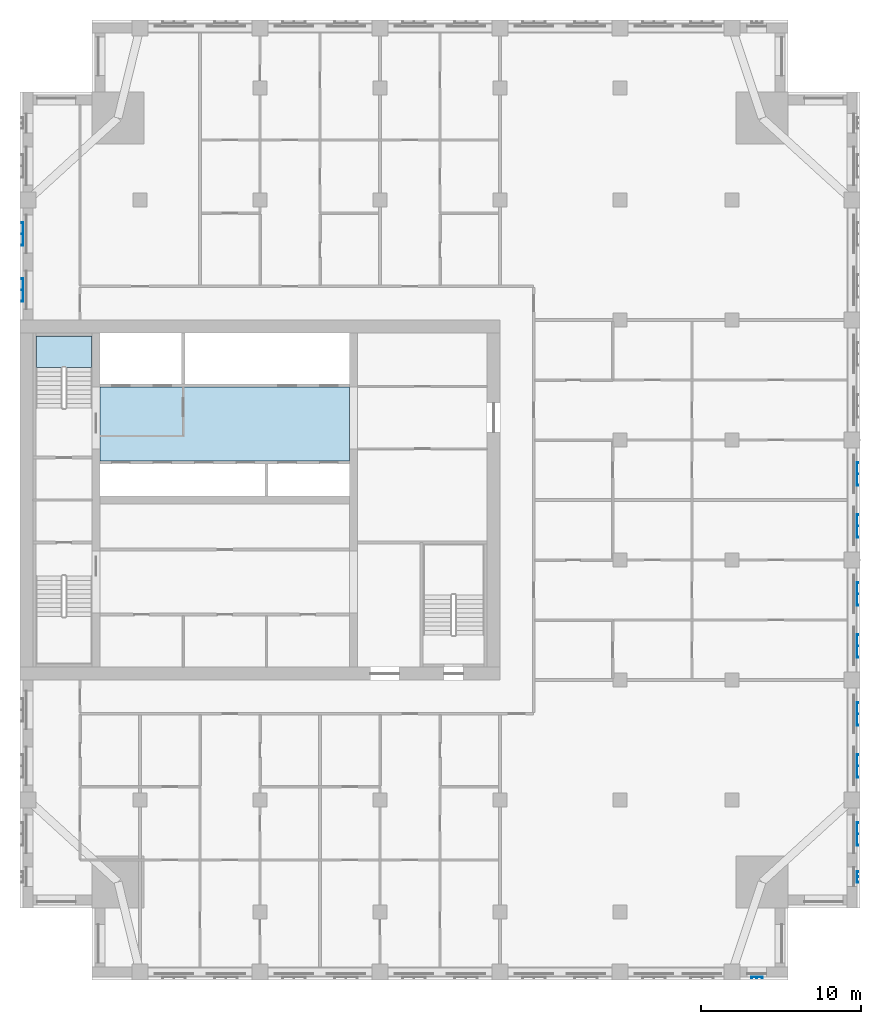
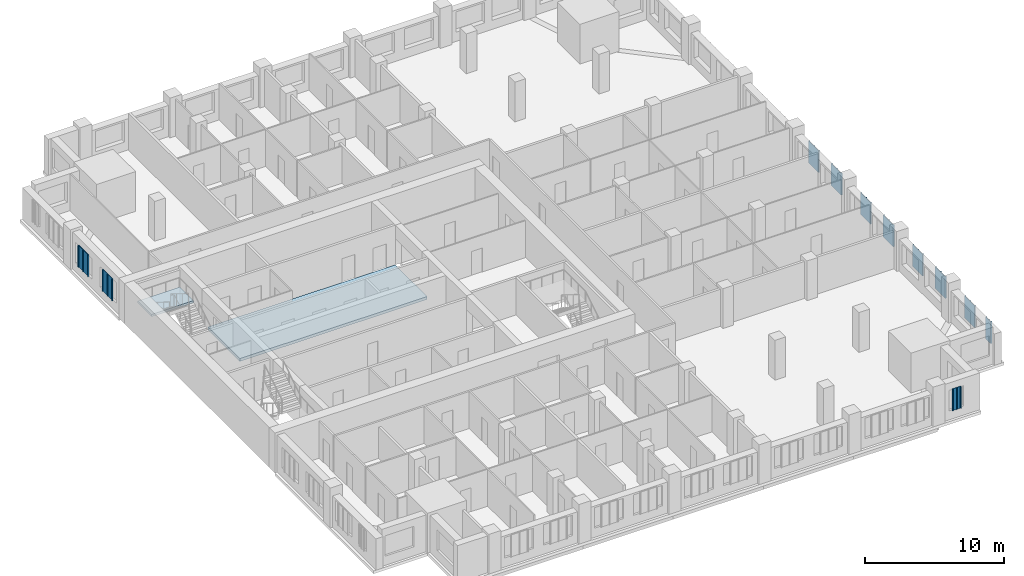
# One storey, part 4 of 14: 11 plates, 2 slabs, 1 element without a shape of its own.
"""IFC4 building model written with IfcOpenShell, lengths in metres."""

from ifc_helpers import new_model, si_unit, direction, frame, origin, place, context, subcontext, project, spatial, polyline, outline, extrude, material, layer, layer_set, type_object, element, aggregate, save


model = new_model("IFC4")

# Units and contexts
model_context = context("Model", 3, precision=1e-05, world=origin(), true_north=direction((0.0, 1.0)))
body_context = subcontext(model_context, "Body", "Model", "MODEL_VIEW")
ifc_project = project(units=[si_unit("LENGTHUNIT", "METRE"), si_unit("AREAUNIT", "SQUARE_METRE"), si_unit("VOLUMEUNIT", "CUBIC_METRE"), si_unit("PLANEANGLEUNIT", "RADIAN"), si_unit("MASSUNIT", "GRAM", prefix="KILO")], contexts=[model_context])

# Site, building, storey
site_placement = place(None, origin())
site = spatial("IfcSite", under=ifc_project, at=site_placement, CompositionType="ELEMENT")
building_placement = place(site_placement, origin())
building = spatial("IfcBuilding", under=site, at=building_placement, Name="Tamorin Gate", CompositionType="ELEMENT")
storey_placement = place(building_placement, frame((0.0, 0.0, 179.199951171875)))
storey = spatial("IfcBuildingStorey", under=building, at=storey_placement, Name="L43", CompositionType="ELEMENT", Elevation=179.199951171875)

# Slab
ifc_material_1 = material(Name="Concrete C40/50", Category="concrete")
ifc_layer_1 = layer(ifc_material_1, 0.25)
ifc_layer_set_1 = layer_set([ifc_layer_1], Name="Core floor slab 250 C40/50")
slab_type_1 = type_object("IfcSlabType", Name="Core floor slab 250 C40/50", PredefinedType="FLOOR", material=ifc_layer_set_1)
slab_1_placement = place(storey_placement, frame((0.0, 0.0, -0.25)))
element("IfcSlab", 1, at=slab_1_placement, inside=storey, type_object=slab_type_1, Name="Core floor L43", PredefinedType="FLOOR", context=body_context, shape_type="SweptSolid", body=[
    extrude(outline(polyline([(50.60009765625, 73.699951171875), (35.0, 73.699951171875), (35.0, 78.300048828125), (50.60009765625, 78.300048828125), (50.60009765625, 73.699951171875)])), origin(), (0.0, 0.0, 1.0), 0.25),
])

# Stair, slab
stair_type = type_object("IfcStairType", Name="Exit stair", PredefinedType="HALF_TURN_STAIR", material=ifc_material_1)
stair_placement = place(storey_placement, origin())
stair = element("IfcStair", 2, at=stair_placement, inside=storey, type_object=stair_type, Name="L43 stair ST2", PredefinedType="HALF_TURN_STAIR")
ifc_layer_2 = layer(ifc_material_1, 0.199951171875)
ifc_layer_set_2 = layer_set([ifc_layer_2], Name="Exit stair landing 200")
slab_type_2 = type_object("IfcSlabType", Name="Exit stair landing 200", PredefinedType="LANDING", material=ifc_layer_set_2)
slab_2_placement = place(storey_placement, frame((0.0, 0.0, 1.550048828125)))
slab_2 = element("IfcSlab", 3, at=slab_2_placement, type_object=slab_type_2, Name="ST2 landing 1", PredefinedType="LANDING", context=body_context, shape_type="SweptSolid", body=[
    extrude(outline(polyline([(34.5, 79.52001953125), (34.5, 81.5), (31.0, 81.5), (31.0, 79.52001953125), (34.5, 79.52001953125)])), origin(), (0.0, 0.0, 1.0), 0.199951171875),
])
aggregate(stair, [slab_2])

# Plates
ifc_material_2 = material(Name="Perforated pale aluminium sheet", Category="aluminium")
ifc_layer_3 = layer(ifc_material_2, 0.0400390625)
ifc_layer_set_3 = layer_set([ifc_layer_3], Name="Pale metal solar screen 1440")
plate_type_1 = type_object("IfcPlateType", Name="Pale metal solar screen 1440", PredefinedType="SHEET", material=ifc_layer_set_3)
plate_1_placement = place(storey_placement, frame((0.0, 0.0, 0.737548828125)))
element("IfcPlate", 4, at=plate_1_placement, inside=storey, type_object=plate_type_1, Name="Perforated solar screen", PredefinedType="SHEET", context=body_context, shape_type="SweptSolid", body=[
    extrude(outline(polyline([(82.340087890625, 49.655029296875), (82.300048828125, 49.655029296875), (82.300048828125, 49.715087890625), (82.300048828125, 50.344970703125), (82.300048828125, 50.405029296875), (82.300048828125, 51.034912109375), (82.300048828125, 51.094970703125), (82.300048828125, 51.094970703125), (82.340087890625, 51.094970703125), (82.340087890625, 51.094970703125), (82.39990234375, 51.094970703125), (82.39990234375, 51.034912109375), (82.340087890625, 51.034912109375), (82.340087890625, 50.405029296875), (82.39990234375, 50.405029296875), (82.39990234375, 50.344970703125), (82.340087890625, 50.344970703125), (82.340087890625, 49.715087890625), (82.39990234375, 49.715087890625), (82.39990234375, 49.655029296875), (82.340087890625, 49.655029296875)])), origin(), (0.0, 0.0, 1.0), 1.925048828125),
])
plate_2_placement = place(storey_placement, frame((0.0, 0.0, 0.737548828125)))
element("IfcPlate", 5, at=plate_2_placement, inside=storey, type_object=plate_type_1, Name="Perforated solar screen", PredefinedType="SHEET", context=body_context, shape_type="SweptSolid", body=[
    extrude(outline(polyline([(82.340087890625, 53.905029296875), (82.300048828125, 53.905029296875), (82.300048828125, 53.965087890625), (82.300048828125, 54.594970703125), (82.300048828125, 54.655029296875), (82.300048828125, 55.284912109375), (82.300048828125, 55.344970703125), (82.340087890625, 55.344970703125), (82.39990234375, 55.344970703125), (82.39990234375, 55.284912109375), (82.340087890625, 55.284912109375), (82.340087890625, 54.655029296875), (82.39990234375, 54.655029296875), (82.39990234375, 54.594970703125), (82.340087890625, 54.594970703125), (82.340087890625, 53.965087890625), (82.39990234375, 53.965087890625), (82.39990234375, 53.905029296875), (82.340087890625, 53.905029296875)])), origin(), (0.0, 0.0, 1.0), 1.925048828125),
])
plate_3_placement = place(storey_placement, frame((0.0, 0.0, 0.737548828125)))
element("IfcPlate", 6, at=plate_3_placement, inside=storey, type_object=plate_type_1, Name="Perforated solar screen", PredefinedType="SHEET", context=body_context, shape_type="SweptSolid", body=[
    extrude(outline(polyline([(82.340087890625, 57.155029296875), (82.300048828125, 57.155029296875), (82.300048828125, 57.215087890625), (82.300048828125, 57.844970703125), (82.300048828125, 57.905029296875), (82.300048828125, 58.534912109375), (82.300048828125, 58.594970703125), (82.340087890625, 58.594970703125), (82.39990234375, 58.594970703125), (82.39990234375, 58.534912109375), (82.340087890625, 58.534912109375), (82.340087890625, 57.905029296875), (82.39990234375, 57.905029296875), (82.39990234375, 57.844970703125), (82.340087890625, 57.844970703125), (82.340087890625, 57.215087890625), (82.39990234375, 57.215087890625), (82.39990234375, 57.155029296875), (82.340087890625, 57.155029296875)])), origin(), (0.0, 0.0, 1.0), 1.925048828125),
])
plate_4_placement = place(storey_placement, frame((0.0, 0.0, 0.737548828125)))
element("IfcPlate", 7, at=plate_4_placement, inside=storey, type_object=plate_type_1, Name="Perforated solar screen", PredefinedType="SHEET", context=body_context, shape_type="SweptSolid", body=[
    extrude(outline(polyline([(82.340087890625, 61.405029296875), (82.300048828125, 61.405029296875), (82.300048828125, 61.465087890625), (82.300048828125, 62.094970703125), (82.300048828125, 62.155029296875), (82.300048828125, 62.784912109375), (82.300048828125, 62.844970703125), (82.340087890625, 62.844970703125), (82.39990234375, 62.844970703125), (82.39990234375, 62.784912109375), (82.340087890625, 62.784912109375), (82.340087890625, 62.155029296875), (82.39990234375, 62.155029296875), (82.39990234375, 62.094970703125), (82.340087890625, 62.094970703125), (82.340087890625, 61.465087890625), (82.39990234375, 61.465087890625), (82.39990234375, 61.405029296875), (82.340087890625, 61.405029296875)])), origin(), (0.0, 0.0, 1.0), 1.925048828125),
])
plate_5_placement = place(storey_placement, frame((0.0, 0.0, 0.737548828125)))
element("IfcPlate", 8, at=plate_5_placement, inside=storey, type_object=plate_type_1, Name="Perforated solar screen", PredefinedType="SHEET", context=body_context, shape_type="SweptSolid", body=[
    extrude(outline(polyline([(82.340087890625, 64.655029296875), (82.300048828125, 64.655029296875), (82.300048828125, 64.715087890625), (82.300048828125, 65.344970703125), (82.300048828125, 65.405029296875), (82.300048828125, 66.034912109375), (82.300048828125, 66.094970703125), (82.340087890625, 66.094970703125), (82.39990234375, 66.094970703125), (82.39990234375, 66.034912109375), (82.340087890625, 66.034912109375), (82.340087890625, 65.405029296875), (82.39990234375, 65.405029296875), (82.39990234375, 65.344970703125), (82.340087890625, 65.344970703125), (82.340087890625, 64.715087890625), (82.39990234375, 64.715087890625), (82.39990234375, 64.655029296875), (82.340087890625, 64.655029296875)])), origin(), (0.0, 0.0, 1.0), 1.925048828125),
])
plate_6_placement = place(storey_placement, frame((0.0, 0.0, 0.737548828125)))
element("IfcPlate", 9, at=plate_6_placement, inside=storey, type_object=plate_type_1, Name="Perforated solar screen", PredefinedType="SHEET", context=body_context, shape_type="SweptSolid", body=[
    extrude(outline(polyline([(82.340087890625, 68.905029296875), (82.300048828125, 68.905029296875), (82.300048828125, 68.965087890625), (82.300048828125, 69.594970703125), (82.300048828125, 69.655029296875), (82.300048828125, 70.284912109375), (82.300048828125, 70.344970703125), (82.340087890625, 70.344970703125), (82.39990234375, 70.344970703125), (82.39990234375, 70.284912109375), (82.340087890625, 70.284912109375), (82.340087890625, 69.655029296875), (82.39990234375, 69.655029296875), (82.39990234375, 69.594970703125), (82.340087890625, 69.594970703125), (82.340087890625, 68.965087890625), (82.39990234375, 68.965087890625), (82.39990234375, 68.905029296875), (82.340087890625, 68.905029296875)])), origin(), (0.0, 0.0, 1.0), 1.925048828125),
])
plate_7_placement = place(storey_placement, frame((0.0, 0.0, 0.737548828125)))
element("IfcPlate", 10, at=plate_7_placement, inside=storey, type_object=plate_type_1, Name="Perforated solar screen", PredefinedType="SHEET", context=body_context, shape_type="SweptSolid", body=[
    extrude(outline(polyline([(82.340087890625, 72.155029296875), (82.300048828125, 72.155029296875), (82.300048828125, 72.215087890625), (82.300048828125, 72.844970703125), (82.300048828125, 72.905029296875), (82.300048828125, 73.534912109375), (82.300048828125, 73.594970703125), (82.340087890625, 73.594970703125), (82.39990234375, 73.594970703125), (82.39990234375, 73.534912109375), (82.340087890625, 73.534912109375), (82.340087890625, 72.905029296875), (82.39990234375, 72.905029296875), (82.39990234375, 72.844970703125), (82.340087890625, 72.844970703125), (82.340087890625, 72.215087890625), (82.39990234375, 72.215087890625), (82.39990234375, 72.155029296875), (82.340087890625, 72.155029296875)])), origin(), (0.0, 0.0, 1.0), 1.925048828125),
])
plate_8_placement = place(storey_placement, frame((0.0, 0.0, 0.737548828125)))
element("IfcPlate", 11, at=plate_8_placement, inside=storey, type_object=plate_type_1, Name="Perforated solar screen", PredefinedType="SHEET", context=body_context, shape_type="SweptSolid", body=[
    extrude(outline(polyline([(30.159912109375, 85.094970703125), (30.199951171875, 85.094970703125), (30.199951171875, 85.034912109375), (30.199951171875, 84.405029296875), (30.199951171875, 84.344970703125), (30.199951171875, 83.715087890625), (30.199951171875, 83.655029296875), (30.159912109375, 83.655029296875), (30.10009765625, 83.655029296875), (30.10009765625, 83.715087890625), (30.159912109375, 83.715087890625), (30.159912109375, 84.344970703125), (30.10009765625, 84.344970703125), (30.10009765625, 84.405029296875), (30.159912109375, 84.405029296875), (30.159912109375, 85.034912109375), (30.10009765625, 85.034912109375), (30.10009765625, 85.094970703125), (30.159912109375, 85.094970703125)])), origin(), (0.0, 0.0, 1.0), 1.925048828125),
])
plate_9_placement = place(storey_placement, frame((0.0, 0.0, 0.737548828125)))
element("IfcPlate", 12, at=plate_9_placement, inside=storey, type_object=plate_type_1, Name="Perforated solar screen", PredefinedType="SHEET", context=body_context, shape_type="SweptSolid", body=[
    extrude(outline(polyline([(30.159912109375, 88.594970703125), (30.199951171875, 88.594970703125), (30.199951171875, 88.534912109375), (30.199951171875, 87.905029296875), (30.199951171875, 87.844970703125), (30.199951171875, 87.215087890625), (30.199951171875, 87.155029296875), (30.159912109375, 87.155029296875), (30.10009765625, 87.155029296875), (30.10009765625, 87.215087890625), (30.159912109375, 87.215087890625), (30.159912109375, 87.844970703125), (30.10009765625, 87.844970703125), (30.10009765625, 87.905029296875), (30.159912109375, 87.905029296875), (30.159912109375, 88.534912109375), (30.10009765625, 88.534912109375), (30.10009765625, 88.594970703125), (30.159912109375, 88.594970703125)])), origin(), (0.0, 0.0, 1.0), 1.925048828125),
])
ifc_layer_4 = layer(ifc_material_2, 0.0400390625)
ifc_layer_set_4 = layer_set([ifc_layer_4], Name="Pale metal solar screen 720")
plate_type_2 = type_object("IfcPlateType", Name="Pale metal solar screen 720", PredefinedType="SHEET", material=ifc_layer_set_4)
plate_10_placement = place(storey_placement, frame((0.0, 0.0, 0.737548828125)))
element("IfcPlate", 13, at=plate_10_placement, inside=storey, type_object=plate_type_2, Name="Perforated solar screen", PredefinedType="SHEET", context=body_context, shape_type="SweptSolid", body=[
    extrude(outline(polyline([(75.68994140625, 41.409912109375), (75.68994140625, 41.449951171875), (75.75, 41.449951171875), (76.02001953125, 41.449951171875), (76.080078125, 41.449951171875), (76.35009765625, 41.449951171875), (76.409912109375, 41.449951171875), (76.409912109375, 41.409912109375), (76.409912109375, 41.35009765625), (76.35009765625, 41.35009765625), (76.35009765625, 41.409912109375), (76.080078125, 41.409912109375), (76.080078125, 41.35009765625), (76.02001953125, 41.35009765625), (76.02001953125, 41.409912109375), (75.75, 41.409912109375), (75.75, 41.35009765625), (75.68994140625, 41.35009765625), (75.68994140625, 41.409912109375)])), origin(), (0.0, 0.0, 1.0), 1.925048828125),
])
plate_11_placement = place(storey_placement, frame((0.0, 0.0, 0.737548828125)))
element("IfcPlate", 14, at=plate_11_placement, inside=storey, type_object=plate_type_2, Name="Perforated solar screen", PredefinedType="SHEET", context=body_context, shape_type="SweptSolid", body=[
    extrude(outline(polyline([(82.340087890625, 47.340087890625), (82.300048828125, 47.340087890625), (82.300048828125, 47.39990234375), (82.300048828125, 47.669921875), (82.300048828125, 47.72998046875), (82.300048828125, 48.0), (82.300048828125, 48.06005859375), (82.340087890625, 48.06005859375), (82.39990234375, 48.06005859375), (82.39990234375, 48.0), (82.340087890625, 48.0), (82.340087890625, 47.72998046875), (82.39990234375, 47.72998046875), (82.39990234375, 47.669921875), (82.340087890625, 47.669921875), (82.340087890625, 47.39990234375), (82.39990234375, 47.39990234375), (82.39990234375, 47.340087890625), (82.340087890625, 47.340087890625)])), origin(), (0.0, 0.0, 1.0), 1.925048828125),
])

save(model, "model.ifc")
